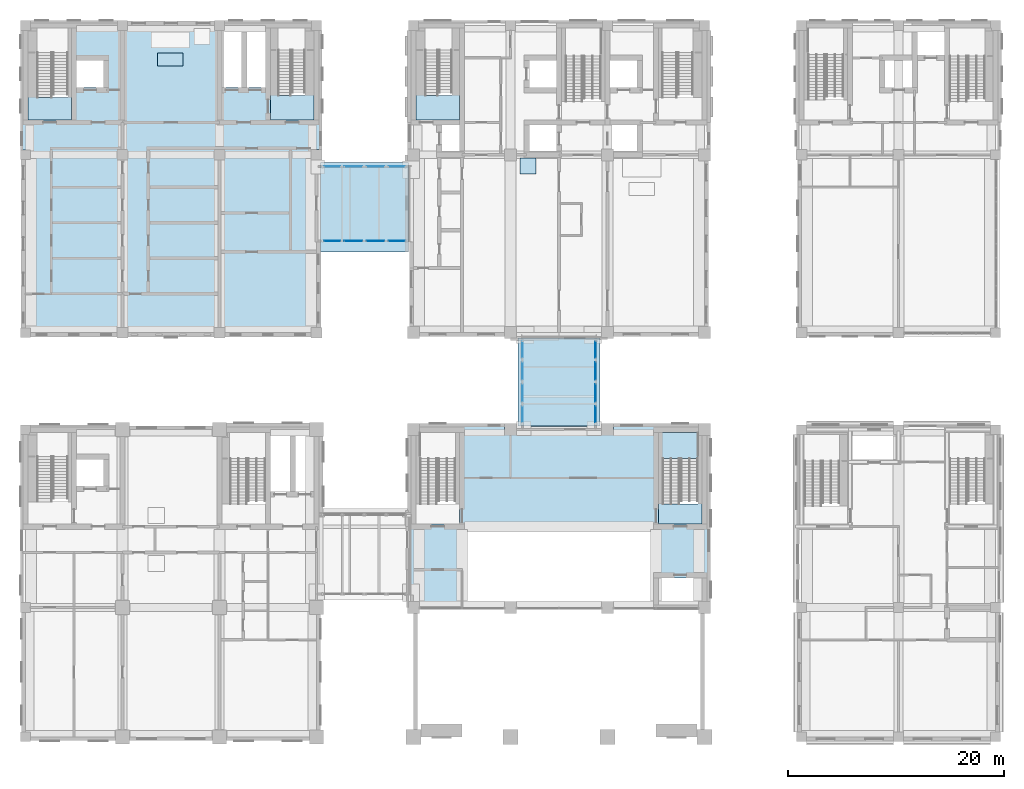
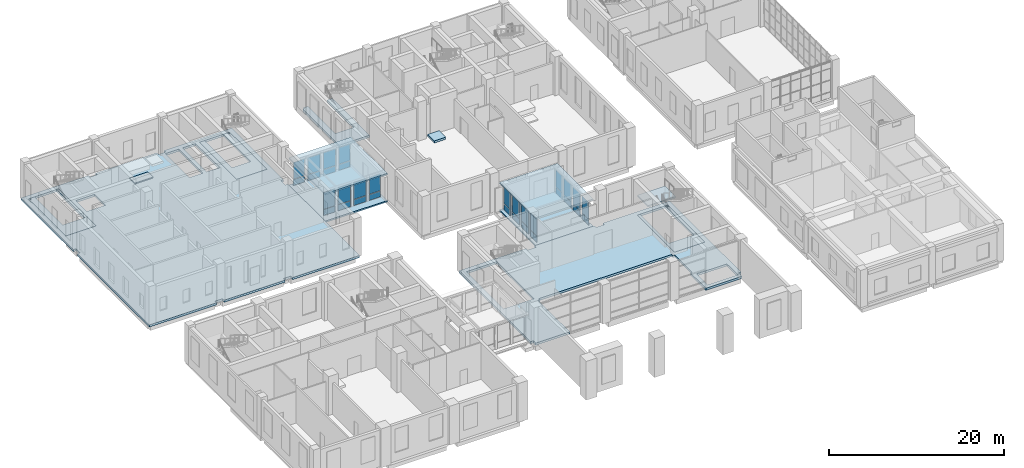
# One storey, part 23 of 52: 32 plates, 13 slabs, 20 elements without a shape of their own.
"""IFC4 building model written with IfcOpenShell, lengths in metres."""

from ifc_helpers import new_model, si_unit, direction, frame, origin, origin_2d, place, context, subcontext, project, spatial, polyline, rectangle, outline, extrude, material, layer, layer_set, type_object, element, aggregate, save


model = new_model("IFC4")

# Units and contexts
model_context = context("Model", 3, precision=1e-05, world=origin(), true_north=direction((0.0, 1.0)))
body_context = subcontext(model_context, "Body", "Model", "MODEL_VIEW")
ifc_project = project(units=[si_unit("LENGTHUNIT", "METRE"), si_unit("AREAUNIT", "SQUARE_METRE"), si_unit("VOLUMEUNIT", "CUBIC_METRE"), si_unit("PLANEANGLEUNIT", "RADIAN"), si_unit("MASSUNIT", "GRAM", prefix="KILO")], contexts=[model_context])

# Site, building, storey
site_placement = place(None, origin())
site = spatial("IfcSite", under=ifc_project, at=site_placement, CompositionType="ELEMENT")
building_placement = place(site_placement, origin())
building = spatial("IfcBuilding", under=site, at=building_placement, Name="Aurelan Courthouse", CompositionType="ELEMENT")
storey_placement = place(building_placement, frame((0.0, 0.0, 6.60009765625)))
storey = spatial("IfcBuildingStorey", under=building, at=storey_placement, Name="L01", CompositionType="ELEMENT", Elevation=6.60009765625)

# Slabs
ifc_material_1 = material(Name="Concrete C30", Category="concrete")
ifc_layer_1 = layer(ifc_material_1, 0.14990234375)
ifc_layer_set_1 = layer_set([ifc_layer_1], Name="Concrete C30")
slab_type_1 = type_object("IfcSlabType", Name="Clerk's dais 150", PredefinedType="FLOOR", material=ifc_layer_set_1)
slab_1_placement = place(storey_placement, origin())
element("IfcSlab", 1, at=slab_1_placement, inside=storey, type_object=slab_type_1, Name="Clerk's dais Video-Link Hearing Room 6.01.01", PredefinedType="FLOOR", context=body_context, shape_type="SweptSolid", body=[
    extrude(outline(polyline([(12.22509765625, 62.22509765625), (14.625, 62.22509765625), (14.625, 63.425048828125), (12.22509765625, 63.425048828125), (12.22509765625, 62.22509765625)])), origin(), (0.0, 0.0, 1.0), 0.14990234375),
])
ifc_material_2 = material(Name="Concrete C40", Category="concrete")
ifc_layer_2 = layer(ifc_material_2, 0.199951171875)
ifc_layer_set_2 = layer_set([ifc_layer_2], Name="Concrete C40")
slab_type_2 = type_object("IfcSlabType", Name="PT bridge floor slab 200", PredefinedType="FLOOR", material=ifc_layer_set_2)
slab_2_placement = place(storey_placement, frame((0.0, 0.0, -0.2001953125)))
element("IfcSlab", 2, at=slab_2_placement, inside=storey, type_object=slab_type_2, Name="Passage floor slab BR3", PredefinedType="FLOOR", context=body_context, shape_type="SweptSolid", body=[
    extrude(outline(polyline([(45.699951171875, 28.85009765625), (53.300048828125, 28.85009765625), (53.300048828125, 37.02490234375), (45.699951171875, 37.02490234375), (45.699951171875, 28.85009765625)])), origin(), (0.0, 0.0, 1.0), 0.2001953125),
])
slab_3_placement = place(storey_placement, frame((0.0, 0.0, -0.2001953125)))
element("IfcSlab", 3, at=slab_3_placement, inside=storey, type_object=slab_type_2, Name="Passage floor slab BR4", PredefinedType="FLOOR", context=body_context, shape_type="SweptSolid", body=[
    extrude(outline(polyline([(27.35009765625, 45.0), (35.52490234375, 45.0), (35.52490234375, 53.300048828125), (27.35009765625, 53.300048828125), (27.35009765625, 45.0)])), origin(), (0.0, 0.0, 1.0), 0.2001953125),
])
ifc_layer_3 = layer(ifc_material_2, 0.300048828125)
ifc_layer_set_3 = layer_set([ifc_layer_3], Name="Concrete C40")
slab_type_3 = type_object("IfcSlabType", Name="PT floor slab 300", PredefinedType="FLOOR", material=ifc_layer_set_3)
slab_4_placement = place(storey_placement, frame((0.0, 0.0, -0.300048828125)))
element("IfcSlab", 4, at=slab_4_placement, inside=storey, type_object=slab_type_3, Name="Floor slab SL-L01-01", PredefinedType="FLOOR", context=body_context, shape_type="SweptSolid", body=[
    extrude(outline(polyline([(58.5, 19.25), (58.5, 15.25), (58.25, 15.25), (58.25, 12.0), (58.25, 11.75), (63.0, 11.75), (63.0, 12.550048828125), (63.35009765625, 12.550048828125), (63.35009765625, 27.949951171875), (63.35009765625, 28.85009765625), (62.449951171875, 28.85009765625), (54.550048828125, 28.85009765625), (54.550048828125, 28.5), (53.449951171875, 28.5), (53.449951171875, 28.85009765625), (45.550048828125, 28.85009765625), (45.550048828125, 28.5), (44.449951171875, 28.5), (44.449951171875, 28.85009765625), (36.550048828125, 28.85009765625), (35.64990234375, 28.85009765625), (35.64990234375, 27.949951171875), (35.64990234375, 12.550048828125), (36.0, 12.550048828125), (36.0, 12.0), (40.5, 12.0), (40.5, 19.25), (40.75, 19.25), (40.75, 19.5), (58.25, 19.5), (58.25, 19.25), (58.5, 19.25)]), holes=[polyline([(58.75, 19.75), (58.75, 28.25), (62.75, 28.25), (62.75, 19.75), (58.75, 19.75)]), polyline([(62.75, 14.75), (62.75, 12.25), (58.75, 12.25), (58.75, 14.75), (62.75, 14.75)]), polyline([(36.25, 28.25), (40.25, 28.25), (40.25, 19.75), (36.25, 19.75), (36.25, 28.25)])]), origin(), (0.0, 0.0, 1.0), 0.300048828125),
])
slab_5_placement = place(storey_placement, frame((0.0, 0.0, -0.300048828125)))
element("IfcSlab", 5, at=slab_5_placement, inside=storey, type_object=slab_type_3, Name="Floor slab SL-L01-06", PredefinedType="FLOOR", context=body_context, shape_type="SweptSolid", body=[
    extrude(outline(polyline([(0.0, 54.449951171875), (0.0, 53.550048828125), (-0.35009765625, 53.550048828125), (-0.35009765625, 37.949951171875), (-0.35009765625, 37.14990234375), (0.449951171875, 37.14990234375), (8.5, 37.14990234375), (8.5, 37.5), (9.5, 37.5), (9.5, 37.14990234375), (17.5, 37.14990234375), (17.5, 37.5), (18.5, 37.5), (18.5, 37.14990234375), (26.5, 37.14990234375), (27.35009765625, 37.14990234375), (27.35009765625, 38.0), (27.35009765625, 53.5), (27.0, 53.5), (27.0, 54.5), (27.35009765625, 54.5), (27.35009765625, 65.550048828125), (27.35009765625, 66.35009765625), (26.550048828125, 66.35009765625), (18.449951171875, 66.35009765625), (18.449951171875, 66.0), (17.550048828125, 66.0), (17.550048828125, 66.35009765625), (9.449951171875, 66.35009765625), (9.449951171875, 66.0), (8.550048828125, 66.0), (8.550048828125, 66.35009765625), (0.449951171875, 66.35009765625), (-0.35009765625, 66.35009765625), (-0.35009765625, 65.550048828125), (-0.35009765625, 54.449951171875), (0.0, 54.449951171875)]), holes=[polyline([(26.75, 65.75), (26.75, 57.25), (22.75, 57.25), (22.75, 65.75), (26.75, 65.75)]), polyline([(20.550048828125, 65.75), (22.25, 65.75), (22.25, 60.25), (20.550048828125, 60.25), (20.550048828125, 65.75)]), polyline([(18.25, 60.25), (18.25, 65.75), (20.050048828125, 65.75), (20.050048828125, 60.25), (18.25, 60.25)]), polyline([(7.25, 62.75), (7.25, 60.25), (4.75, 60.25), (4.75, 62.75), (7.25, 62.75)]), polyline([(4.25, 57.25), (0.25, 57.25), (0.25, 65.75), (4.25, 65.75), (4.25, 57.25)])]), origin(), (0.0, 0.0, 1.0), 0.300048828125),
])

# Curtain wall, plate
ifc_material_3 = material(Name="Bronze-finished aluminium and glass", Category="aluminium")
ifc_layer_4 = layer(ifc_material_3, 0.1201171875)
ifc_layer_set_4 = layer_set([ifc_layer_4], Name="Bronze-finished aluminium and glass")
curtain_wall_type_1 = type_object("IfcCurtainWallType", Name="Passage glazing 1594 x 3300", PredefinedType="NOTDEFINED", material=ifc_layer_set_4)
curtain_wall_1_placement = place(storey_placement, origin())
curtain_wall_1 = element("IfcCurtainWall", 6, at=curtain_wall_1_placement, inside=storey, type_object=curtain_wall_type_1, Name="Curtain wall CW-L01-BR301", PredefinedType="NOTDEFINED")
ifc_material_4 = material(Name="Laminated low-emissivity glass", Category="glass")
ifc_layer_5 = layer(ifc_material_4, 0.028076171875)
ifc_layer_set_5 = layer_set([ifc_layer_5], Name="Laminated low-emissivity glass")
plate_type_1 = type_object("IfcPlateType", Name="Passage glazing glass panel 28", PredefinedType="CURTAIN_PANEL", material=ifc_layer_set_5)
plate_1_placement = place(storey_placement, frame((46.10009765625, 29.947021484375, 0.927490234375), z_axis=(0.0, 0.0, 1.0), x_axis=(0.0, 1.0, 0.0)))
plate_1 = element("IfcPlate", 7, at=plate_1_placement, type_object=plate_type_1, Name="CW-L01-BR301 panel 1.2", PredefinedType="CURTAIN_PANEL", context=body_context, shape_type="SweptSolid", body=[
    extrude(rectangle(XDim=1.48388671875, YDim=0.028076171875, at=origin_2d()), origin(), (0.0, 0.0, 1.0), 2.3173828125),
])

ifc_layer_6 = layer(ifc_material_3, 0.1201171875)
ifc_layer_set_6 = layer_set([ifc_layer_6], Name="Bronze-finished aluminium and glass")
curtain_wall_type_2 = type_object("IfcCurtainWallType", Name="Passage glazing 1744 x 3300", PredefinedType="NOTDEFINED", material=ifc_layer_set_6)
curtain_wall_2_placement = place(storey_placement, origin())
curtain_wall_2 = element("IfcCurtainWall", 8, at=curtain_wall_2_placement, inside=storey, type_object=curtain_wall_type_2, Name="Curtain wall CW-L01-BR302", PredefinedType="NOTDEFINED")
plate_2_placement = place(storey_placement, frame((46.10009765625, 31.91552734375, 0.927490234375), z_axis=(0.0, 0.0, 1.0), x_axis=(0.0, 1.0, 0.0)))
plate_2 = element("IfcPlate", 9, at=plate_2_placement, type_object=plate_type_1, Name="CW-L01-BR302 panel 1.2", PredefinedType="CURTAIN_PANEL", context=body_context, shape_type="SweptSolid", body=[
    extrude(rectangle(XDim=1.6337890625, YDim=0.028076171875, at=origin_2d()), origin(), (0.0, 0.0, 1.0), 2.3173828125),
])

curtain_wall_3_placement = place(storey_placement, origin())
curtain_wall_3 = element("IfcCurtainWall", 10, at=curtain_wall_3_placement, inside=storey, type_object=curtain_wall_type_2, Name="Curtain wall CW-L01-BR303", PredefinedType="NOTDEFINED")
plate_3_placement = place(storey_placement, frame((46.10009765625, 33.95947265625, 0.927490234375), z_axis=(0.0, 0.0, 1.0), x_axis=(0.0, 1.0, 0.0)))
plate_3 = element("IfcPlate", 11, at=plate_3_placement, type_object=plate_type_1, Name="CW-L01-BR303 panel 1.2", PredefinedType="CURTAIN_PANEL", context=body_context, shape_type="SweptSolid", body=[
    extrude(rectangle(XDim=1.6337890625, YDim=0.028076171875, at=origin_2d()), origin(), (0.0, 0.0, 1.0), 2.3173828125),
])

curtain_wall_4_placement = place(storey_placement, origin())
curtain_wall_4 = element("IfcCurtainWall", 12, at=curtain_wall_4_placement, inside=storey, type_object=curtain_wall_type_1, Name="Curtain wall CW-L01-BR304", PredefinedType="NOTDEFINED")
plate_4_placement = place(storey_placement, frame((46.10009765625, 35.92822265625, 0.927490234375), z_axis=(0.0, 0.0, 1.0), x_axis=(0.0, 1.0, 0.0)))
plate_4 = element("IfcPlate", 13, at=plate_4_placement, type_object=plate_type_1, Name="CW-L01-BR304 panel 1.2", PredefinedType="CURTAIN_PANEL", context=body_context, shape_type="SweptSolid", body=[
    extrude(rectangle(XDim=1.483642578125, YDim=0.028076171875, at=origin_2d()), origin(), (0.0, 0.0, 1.0), 2.3173828125),
])

curtain_wall_5_placement = place(storey_placement, origin())
curtain_wall_5 = element("IfcCurtainWall", 14, at=curtain_wall_5_placement, inside=storey, type_object=curtain_wall_type_1, Name="Curtain wall CW-L01-BR305", PredefinedType="NOTDEFINED")
plate_5_placement = place(storey_placement, frame((52.89990234375, 29.947021484375, 0.927490234375), z_axis=(0.0, 0.0, 1.0), x_axis=(0.0, 1.0, 0.0)))
plate_5 = element("IfcPlate", 15, at=plate_5_placement, type_object=plate_type_1, Name="CW-L01-BR305 panel 1.2", PredefinedType="CURTAIN_PANEL", context=body_context, shape_type="SweptSolid", body=[
    extrude(rectangle(XDim=1.48388671875, YDim=0.028076171875, at=origin_2d()), origin(), (0.0, 0.0, 1.0), 2.3173828125),
])

curtain_wall_6_placement = place(storey_placement, origin())
curtain_wall_6 = element("IfcCurtainWall", 16, at=curtain_wall_6_placement, inside=storey, type_object=curtain_wall_type_2, Name="Curtain wall CW-L01-BR306", PredefinedType="NOTDEFINED")
plate_6_placement = place(storey_placement, frame((52.89990234375, 31.91552734375, 0.927490234375), z_axis=(0.0, 0.0, 1.0), x_axis=(0.0, 1.0, 0.0)))
plate_6 = element("IfcPlate", 17, at=plate_6_placement, type_object=plate_type_1, Name="CW-L01-BR306 panel 1.2", PredefinedType="CURTAIN_PANEL", context=body_context, shape_type="SweptSolid", body=[
    extrude(rectangle(XDim=1.6337890625, YDim=0.028076171875, at=origin_2d()), origin(), (0.0, 0.0, 1.0), 2.3173828125),
])

curtain_wall_7_placement = place(storey_placement, origin())
curtain_wall_7 = element("IfcCurtainWall", 18, at=curtain_wall_7_placement, inside=storey, type_object=curtain_wall_type_2, Name="Curtain wall CW-L01-BR307", PredefinedType="NOTDEFINED")
plate_7_placement = place(storey_placement, frame((52.89990234375, 33.95947265625, 0.927490234375), z_axis=(0.0, 0.0, 1.0), x_axis=(0.0, 1.0, 0.0)))
plate_7 = element("IfcPlate", 19, at=plate_7_placement, type_object=plate_type_1, Name="CW-L01-BR307 panel 1.2", PredefinedType="CURTAIN_PANEL", context=body_context, shape_type="SweptSolid", body=[
    extrude(rectangle(XDim=1.6337890625, YDim=0.028076171875, at=origin_2d()), origin(), (0.0, 0.0, 1.0), 2.3173828125),
])

curtain_wall_8_placement = place(storey_placement, origin())
curtain_wall_8 = element("IfcCurtainWall", 20, at=curtain_wall_8_placement, inside=storey, type_object=curtain_wall_type_1, Name="Curtain wall CW-L01-BR308", PredefinedType="NOTDEFINED")
plate_8_placement = place(storey_placement, frame((52.89990234375, 35.92822265625, 0.927490234375), z_axis=(0.0, 0.0, 1.0), x_axis=(0.0, 1.0, 0.0)))
plate_8 = element("IfcPlate", 21, at=plate_8_placement, type_object=plate_type_1, Name="CW-L01-BR308 panel 1.2", PredefinedType="CURTAIN_PANEL", context=body_context, shape_type="SweptSolid", body=[
    extrude(rectangle(XDim=1.483642578125, YDim=0.028076171875, at=origin_2d()), origin(), (0.0, 0.0, 1.0), 2.3173828125),
])

curtain_wall_9_placement = place(storey_placement, origin())
curtain_wall_9 = element("IfcCurtainWall", 22, at=curtain_wall_9_placement, inside=storey, type_object=curtain_wall_type_1, Name="Curtain wall CW-L01-BR401", PredefinedType="NOTDEFINED")
plate_9_placement = place(storey_placement, frame((28.447021484375, 46.0, 0.927490234375), z_axis=(0.0, 0.0, 1.0), x_axis=(1.0, 0.0, 0.0)))
plate_9 = element("IfcPlate", 23, at=plate_9_placement, type_object=plate_type_1, Name="CW-L01-BR401 panel 1.2", PredefinedType="CURTAIN_PANEL", context=body_context, shape_type="SweptSolid", body=[
    extrude(rectangle(XDim=1.48388671875, YDim=0.028076171875, at=origin_2d()), origin(), (0.0, 0.0, 1.0), 2.3173828125),
])

curtain_wall_10_placement = place(storey_placement, origin())
curtain_wall_10 = element("IfcCurtainWall", 24, at=curtain_wall_10_placement, inside=storey, type_object=curtain_wall_type_2, Name="Curtain wall CW-L01-BR402", PredefinedType="NOTDEFINED")
plate_10_placement = place(storey_placement, frame((30.41552734375, 46.0, 0.927490234375), z_axis=(0.0, 0.0, 1.0), x_axis=(1.0, 0.0, 0.0)))
plate_10 = element("IfcPlate", 25, at=plate_10_placement, type_object=plate_type_1, Name="CW-L01-BR402 panel 1.2", PredefinedType="CURTAIN_PANEL", context=body_context, shape_type="SweptSolid", body=[
    extrude(rectangle(XDim=1.6337890625, YDim=0.028076171875, at=origin_2d()), origin(), (0.0, 0.0, 1.0), 2.3173828125),
])

curtain_wall_11_placement = place(storey_placement, origin())
curtain_wall_11 = element("IfcCurtainWall", 26, at=curtain_wall_11_placement, inside=storey, type_object=curtain_wall_type_2, Name="Curtain wall CW-L01-BR403", PredefinedType="NOTDEFINED")
plate_11_placement = place(storey_placement, frame((32.45947265625, 46.0, 0.927490234375), z_axis=(0.0, 0.0, 1.0), x_axis=(1.0, 0.0, 0.0)))
plate_11 = element("IfcPlate", 27, at=plate_11_placement, type_object=plate_type_1, Name="CW-L01-BR403 panel 1.2", PredefinedType="CURTAIN_PANEL", context=body_context, shape_type="SweptSolid", body=[
    extrude(rectangle(XDim=1.6337890625, YDim=0.028076171875, at=origin_2d()), origin(), (0.0, 0.0, 1.0), 2.3173828125),
])

curtain_wall_12_placement = place(storey_placement, origin())
curtain_wall_12 = element("IfcCurtainWall", 28, at=curtain_wall_12_placement, inside=storey, type_object=curtain_wall_type_1, Name="Curtain wall CW-L01-BR404", PredefinedType="NOTDEFINED")
plate_12_placement = place(storey_placement, frame((34.42822265625, 46.0, 0.927490234375), z_axis=(0.0, 0.0, 1.0), x_axis=(1.0, 0.0, 0.0)))
plate_12 = element("IfcPlate", 29, at=plate_12_placement, type_object=plate_type_1, Name="CW-L01-BR404 panel 1.2", PredefinedType="CURTAIN_PANEL", context=body_context, shape_type="SweptSolid", body=[
    extrude(rectangle(XDim=1.483642578125, YDim=0.028076171875, at=origin_2d()), origin(), (0.0, 0.0, 1.0), 2.3173828125),
])

curtain_wall_13_placement = place(storey_placement, origin())
curtain_wall_13 = element("IfcCurtainWall", 30, at=curtain_wall_13_placement, inside=storey, type_object=curtain_wall_type_1, Name="Curtain wall CW-L01-BR405", PredefinedType="NOTDEFINED")
plate_13_placement = place(storey_placement, frame((28.447021484375, 52.89990234375, 0.927490234375), z_axis=(0.0, 0.0, 1.0), x_axis=(1.0, 0.0, 0.0)))
plate_13 = element("IfcPlate", 31, at=plate_13_placement, type_object=plate_type_1, Name="CW-L01-BR405 panel 1.2", PredefinedType="CURTAIN_PANEL", context=body_context, shape_type="SweptSolid", body=[
    extrude(rectangle(XDim=1.48388671875, YDim=0.028076171875, at=origin_2d()), origin(), (0.0, 0.0, 1.0), 2.3173828125),
])

curtain_wall_14_placement = place(storey_placement, origin())
curtain_wall_14 = element("IfcCurtainWall", 32, at=curtain_wall_14_placement, inside=storey, type_object=curtain_wall_type_2, Name="Curtain wall CW-L01-BR406", PredefinedType="NOTDEFINED")
plate_14_placement = place(storey_placement, frame((30.41552734375, 52.89990234375, 0.927490234375), z_axis=(0.0, 0.0, 1.0), x_axis=(1.0, 0.0, 0.0)))
plate_14 = element("IfcPlate", 33, at=plate_14_placement, type_object=plate_type_1, Name="CW-L01-BR406 panel 1.2", PredefinedType="CURTAIN_PANEL", context=body_context, shape_type="SweptSolid", body=[
    extrude(rectangle(XDim=1.6337890625, YDim=0.028076171875, at=origin_2d()), origin(), (0.0, 0.0, 1.0), 2.3173828125),
])

curtain_wall_15_placement = place(storey_placement, origin())
curtain_wall_15 = element("IfcCurtainWall", 34, at=curtain_wall_15_placement, inside=storey, type_object=curtain_wall_type_2, Name="Curtain wall CW-L01-BR407", PredefinedType="NOTDEFINED")
plate_15_placement = place(storey_placement, frame((32.45947265625, 52.89990234375, 0.927490234375), z_axis=(0.0, 0.0, 1.0), x_axis=(1.0, 0.0, 0.0)))
plate_15 = element("IfcPlate", 35, at=plate_15_placement, type_object=plate_type_1, Name="CW-L01-BR407 panel 1.2", PredefinedType="CURTAIN_PANEL", context=body_context, shape_type="SweptSolid", body=[
    extrude(rectangle(XDim=1.6337890625, YDim=0.028076171875, at=origin_2d()), origin(), (0.0, 0.0, 1.0), 2.3173828125),
])

curtain_wall_16_placement = place(storey_placement, origin())
curtain_wall_16 = element("IfcCurtainWall", 36, at=curtain_wall_16_placement, inside=storey, type_object=curtain_wall_type_1, Name="Curtain wall CW-L01-BR408", PredefinedType="NOTDEFINED")
plate_16_placement = place(storey_placement, frame((34.42822265625, 52.89990234375, 0.927490234375), z_axis=(0.0, 0.0, 1.0), x_axis=(1.0, 0.0, 0.0)))
plate_16 = element("IfcPlate", 37, at=plate_16_placement, type_object=plate_type_1, Name="CW-L01-BR408 panel 1.2", PredefinedType="CURTAIN_PANEL", context=body_context, shape_type="SweptSolid", body=[
    extrude(rectangle(XDim=1.483642578125, YDim=0.028076171875, at=origin_2d()), origin(), (0.0, 0.0, 1.0), 2.3173828125),
])

# Slabs
ifc_material_5 = material(Name="Composite steel deck S355 with concrete topping C30/37", Category="concrete")
ifc_layer_7 = layer(ifc_material_5, 0.199951171875)
ifc_layer_set_7 = layer_set([ifc_layer_7], Name="Composite steel deck S355 with concrete topping C30/37")
slab_type_4 = type_object("IfcSlabType", Name="Passage roof deck 200", PredefinedType="ROOF", material=ifc_layer_set_7)
slab_6_placement = place(storey_placement, frame((0.0, 0.0, 3.599853515625)))
element("IfcSlab", 38, at=slab_6_placement, inside=storey, type_object=slab_type_4, Name="Passage roof BR3", PredefinedType="ROOF", context=body_context, shape_type="SweptSolid", body=[
    extrude(outline(polyline([(45.699951171875, 28.85009765625), (53.300048828125, 28.85009765625), (53.300048828125, 37.02490234375), (45.699951171875, 37.02490234375), (45.699951171875, 28.85009765625)])), origin(), (0.0, 0.0, 1.0), 0.199951171875),
])
slab_7_placement = place(storey_placement, frame((0.0, 0.0, 3.599853515625)))
element("IfcSlab", 39, at=slab_7_placement, inside=storey, type_object=slab_type_4, Name="Passage roof BR4", PredefinedType="ROOF", context=body_context, shape_type="SweptSolid", body=[
    extrude(outline(polyline([(27.35009765625, 45.0), (35.52490234375, 45.0), (35.52490234375, 53.300048828125), (27.35009765625, 53.300048828125), (27.35009765625, 45.0)])), origin(), (0.0, 0.0, 1.0), 0.199951171875),
])

# Plate
ifc_material_6 = material(Name="Bronze-finished aluminium", Category="aluminium")
ifc_layer_8 = layer(ifc_material_6, 0.0400390625)
ifc_layer_set_8 = layer_set([ifc_layer_8], Name="Bronze-finished aluminium")
plate_type_2 = type_object("IfcPlateType", Name="Passage sill panel 40", PredefinedType="CURTAIN_PANEL", material=ifc_layer_set_8)
plate_17_placement = place(storey_placement, frame((46.10009765625, 29.947021484375, 0.054931640625), z_axis=(0.0, 0.0, 1.0), x_axis=(0.0, 1.0, 0.0)))
plate_17 = element("IfcPlate", 40, at=plate_17_placement, type_object=plate_type_2, Name="CW-L01-BR301 panel 1.1", PredefinedType="CURTAIN_PANEL", context=body_context, shape_type="SweptSolid", body=[
    extrude(rectangle(XDim=1.48388671875, YDim=0.0400390625, at=origin_2d()), origin(), (0.0, 0.0, 1.0), 0.8173828125),
])

aggregate(curtain_wall_1, [plate_17, plate_1])

plate_18_placement = place(storey_placement, frame((46.10009765625, 31.91552734375, 0.054931640625), z_axis=(0.0, 0.0, 1.0), x_axis=(0.0, 1.0, 0.0)))
plate_18 = element("IfcPlate", 41, at=plate_18_placement, type_object=plate_type_2, Name="CW-L01-BR302 panel 1.1", PredefinedType="CURTAIN_PANEL", context=body_context, shape_type="SweptSolid", body=[
    extrude(rectangle(XDim=1.6337890625, YDim=0.0400390625, at=origin_2d()), origin(), (0.0, 0.0, 1.0), 0.8173828125),
])

aggregate(curtain_wall_2, [plate_18, plate_2])

plate_19_placement = place(storey_placement, frame((46.10009765625, 33.95947265625, 0.054931640625), z_axis=(0.0, 0.0, 1.0), x_axis=(0.0, 1.0, 0.0)))
plate_19 = element("IfcPlate", 42, at=plate_19_placement, type_object=plate_type_2, Name="CW-L01-BR303 panel 1.1", PredefinedType="CURTAIN_PANEL", context=body_context, shape_type="SweptSolid", body=[
    extrude(rectangle(XDim=1.6337890625, YDim=0.0400390625, at=origin_2d()), origin(), (0.0, 0.0, 1.0), 0.8173828125),
])

aggregate(curtain_wall_3, [plate_19, plate_3])

plate_20_placement = place(storey_placement, frame((46.10009765625, 35.92822265625, 0.054931640625), z_axis=(0.0, 0.0, 1.0), x_axis=(0.0, 1.0, 0.0)))
plate_20 = element("IfcPlate", 43, at=plate_20_placement, type_object=plate_type_2, Name="CW-L01-BR304 panel 1.1", PredefinedType="CURTAIN_PANEL", context=body_context, shape_type="SweptSolid", body=[
    extrude(rectangle(XDim=1.483642578125, YDim=0.0400390625, at=origin_2d()), origin(), (0.0, 0.0, 1.0), 0.8173828125),
])

aggregate(curtain_wall_4, [plate_20, plate_4])

plate_21_placement = place(storey_placement, frame((52.89990234375, 29.947021484375, 0.054931640625), z_axis=(0.0, 0.0, 1.0), x_axis=(0.0, 1.0, 0.0)))
plate_21 = element("IfcPlate", 44, at=plate_21_placement, type_object=plate_type_2, Name="CW-L01-BR305 panel 1.1", PredefinedType="CURTAIN_PANEL", context=body_context, shape_type="SweptSolid", body=[
    extrude(rectangle(XDim=1.48388671875, YDim=0.0400390625, at=origin_2d()), origin(), (0.0, 0.0, 1.0), 0.8173828125),
])

aggregate(curtain_wall_5, [plate_21, plate_5])

plate_22_placement = place(storey_placement, frame((52.89990234375, 31.91552734375, 0.054931640625), z_axis=(0.0, 0.0, 1.0), x_axis=(0.0, 1.0, 0.0)))
plate_22 = element("IfcPlate", 45, at=plate_22_placement, type_object=plate_type_2, Name="CW-L01-BR306 panel 1.1", PredefinedType="CURTAIN_PANEL", context=body_context, shape_type="SweptSolid", body=[
    extrude(rectangle(XDim=1.6337890625, YDim=0.0400390625, at=origin_2d()), origin(), (0.0, 0.0, 1.0), 0.8173828125),
])

aggregate(curtain_wall_6, [plate_22, plate_6])

plate_23_placement = place(storey_placement, frame((52.89990234375, 33.95947265625, 0.054931640625), z_axis=(0.0, 0.0, 1.0), x_axis=(0.0, 1.0, 0.0)))
plate_23 = element("IfcPlate", 46, at=plate_23_placement, type_object=plate_type_2, Name="CW-L01-BR307 panel 1.1", PredefinedType="CURTAIN_PANEL", context=body_context, shape_type="SweptSolid", body=[
    extrude(rectangle(XDim=1.6337890625, YDim=0.0400390625, at=origin_2d()), origin(), (0.0, 0.0, 1.0), 0.8173828125),
])

aggregate(curtain_wall_7, [plate_23, plate_7])

plate_24_placement = place(storey_placement, frame((52.89990234375, 35.92822265625, 0.054931640625), z_axis=(0.0, 0.0, 1.0), x_axis=(0.0, 1.0, 0.0)))
plate_24 = element("IfcPlate", 47, at=plate_24_placement, type_object=plate_type_2, Name="CW-L01-BR308 panel 1.1", PredefinedType="CURTAIN_PANEL", context=body_context, shape_type="SweptSolid", body=[
    extrude(rectangle(XDim=1.483642578125, YDim=0.0400390625, at=origin_2d()), origin(), (0.0, 0.0, 1.0), 0.8173828125),
])

aggregate(curtain_wall_8, [plate_24, plate_8])

plate_25_placement = place(storey_placement, frame((28.447021484375, 46.0, 0.054931640625), z_axis=(0.0, 0.0, 1.0), x_axis=(1.0, 0.0, 0.0)))
plate_25 = element("IfcPlate", 48, at=plate_25_placement, type_object=plate_type_2, Name="CW-L01-BR401 panel 1.1", PredefinedType="CURTAIN_PANEL", context=body_context, shape_type="SweptSolid", body=[
    extrude(rectangle(XDim=1.48388671875, YDim=0.0400390625, at=origin_2d()), origin(), (0.0, 0.0, 1.0), 0.8173828125),
])

aggregate(curtain_wall_9, [plate_25, plate_9])

plate_26_placement = place(storey_placement, frame((30.41552734375, 46.0, 0.054931640625), z_axis=(0.0, 0.0, 1.0), x_axis=(1.0, 0.0, 0.0)))
plate_26 = element("IfcPlate", 49, at=plate_26_placement, type_object=plate_type_2, Name="CW-L01-BR402 panel 1.1", PredefinedType="CURTAIN_PANEL", context=body_context, shape_type="SweptSolid", body=[
    extrude(rectangle(XDim=1.6337890625, YDim=0.0400390625, at=origin_2d()), origin(), (0.0, 0.0, 1.0), 0.8173828125),
])

aggregate(curtain_wall_10, [plate_26, plate_10])

plate_27_placement = place(storey_placement, frame((32.45947265625, 46.0, 0.054931640625), z_axis=(0.0, 0.0, 1.0), x_axis=(1.0, 0.0, 0.0)))
plate_27 = element("IfcPlate", 50, at=plate_27_placement, type_object=plate_type_2, Name="CW-L01-BR403 panel 1.1", PredefinedType="CURTAIN_PANEL", context=body_context, shape_type="SweptSolid", body=[
    extrude(rectangle(XDim=1.6337890625, YDim=0.0400390625, at=origin_2d()), origin(), (0.0, 0.0, 1.0), 0.8173828125),
])

aggregate(curtain_wall_11, [plate_27, plate_11])

plate_28_placement = place(storey_placement, frame((34.42822265625, 46.0, 0.054931640625), z_axis=(0.0, 0.0, 1.0), x_axis=(1.0, 0.0, 0.0)))
plate_28 = element("IfcPlate", 51, at=plate_28_placement, type_object=plate_type_2, Name="CW-L01-BR404 panel 1.1", PredefinedType="CURTAIN_PANEL", context=body_context, shape_type="SweptSolid", body=[
    extrude(rectangle(XDim=1.483642578125, YDim=0.0400390625, at=origin_2d()), origin(), (0.0, 0.0, 1.0), 0.8173828125),
])

aggregate(curtain_wall_12, [plate_28, plate_12])

plate_29_placement = place(storey_placement, frame((28.447021484375, 52.89990234375, 0.054931640625), z_axis=(0.0, 0.0, 1.0), x_axis=(1.0, 0.0, 0.0)))
plate_29 = element("IfcPlate", 52, at=plate_29_placement, type_object=plate_type_2, Name="CW-L01-BR405 panel 1.1", PredefinedType="CURTAIN_PANEL", context=body_context, shape_type="SweptSolid", body=[
    extrude(rectangle(XDim=1.48388671875, YDim=0.0400390625, at=origin_2d()), origin(), (0.0, 0.0, 1.0), 0.8173828125),
])

aggregate(curtain_wall_13, [plate_29, plate_13])

plate_30_placement = place(storey_placement, frame((30.41552734375, 52.89990234375, 0.054931640625), z_axis=(0.0, 0.0, 1.0), x_axis=(1.0, 0.0, 0.0)))
plate_30 = element("IfcPlate", 53, at=plate_30_placement, type_object=plate_type_2, Name="CW-L01-BR406 panel 1.1", PredefinedType="CURTAIN_PANEL", context=body_context, shape_type="SweptSolid", body=[
    extrude(rectangle(XDim=1.6337890625, YDim=0.0400390625, at=origin_2d()), origin(), (0.0, 0.0, 1.0), 0.8173828125),
])

aggregate(curtain_wall_14, [plate_30, plate_14])

plate_31_placement = place(storey_placement, frame((32.45947265625, 52.89990234375, 0.054931640625), z_axis=(0.0, 0.0, 1.0), x_axis=(1.0, 0.0, 0.0)))
plate_31 = element("IfcPlate", 54, at=plate_31_placement, type_object=plate_type_2, Name="CW-L01-BR407 panel 1.1", PredefinedType="CURTAIN_PANEL", context=body_context, shape_type="SweptSolid", body=[
    extrude(rectangle(XDim=1.6337890625, YDim=0.0400390625, at=origin_2d()), origin(), (0.0, 0.0, 1.0), 0.8173828125),
])

aggregate(curtain_wall_15, [plate_31, plate_15])

plate_32_placement = place(storey_placement, frame((34.42822265625, 52.89990234375, 0.054931640625), z_axis=(0.0, 0.0, 1.0), x_axis=(1.0, 0.0, 0.0)))
plate_32 = element("IfcPlate", 55, at=plate_32_placement, type_object=plate_type_2, Name="CW-L01-BR408 panel 1.1", PredefinedType="CURTAIN_PANEL", context=body_context, shape_type="SweptSolid", body=[
    extrude(rectangle(XDim=1.483642578125, YDim=0.0400390625, at=origin_2d()), origin(), (0.0, 0.0, 1.0), 0.8173828125),
])

aggregate(curtain_wall_16, [plate_32, plate_16])

# Stair, slab
stair_type_1 = type_object("IfcStairType", Name="Half-turn stair 1200 wide 31 risers", PredefinedType="HALF_TURN_STAIR", material=ifc_material_1)
stair_1_placement = place(storey_placement, origin())
stair_1 = element("IfcStair", 56, at=stair_1_placement, inside=storey, type_object=stair_type_1, Name="Stair CS-2-L01", PredefinedType="HALF_TURN_STAIR")
ifc_layer_9 = layer(ifc_material_1, 0.300048828125)
ifc_layer_set_9 = layer_set([ifc_layer_9], Name="Concrete C30")
slab_type_5 = type_object("IfcSlabType", Name="Stair floor landing 300 thick", PredefinedType="LANDING", material=ifc_layer_set_9)
slab_8_placement = place(storey_placement, frame((0.0, 0.0, -0.300048828125)))
slab_8 = element("IfcSlab", 57, at=slab_8_placement, type_object=slab_type_5, Name="Stair CS-2-L01 floor landing", PredefinedType="LANDING", context=body_context, shape_type="SweptSolid", body=[
    extrude(outline(polyline([(37.06005859375, 59.510986328125), (38.360107421875, 59.510986328125), (39.56005859375, 59.510986328125), (39.56005859375, 65.75), (40.25, 65.75), (40.25, 57.25), (36.25, 57.25), (36.25, 65.550048828125), (36.449951171875, 65.550048828125), (36.449951171875, 65.75), (37.06005859375, 65.75), (37.06005859375, 59.510986328125)])), origin(), (0.0, 0.0, 1.0), 0.300048828125),
])
aggregate(stair_1, [slab_8])

stair_2_placement = place(storey_placement, origin())
stair_2 = element("IfcStair", 58, at=stair_2_placement, inside=storey, type_object=stair_type_1, Name="Stair CS-6-L01", PredefinedType="HALF_TURN_STAIR")
slab_9_placement = place(storey_placement, frame((0.0, 0.0, -0.300048828125)))
slab_9 = element("IfcSlab", 59, at=slab_9_placement, type_object=slab_type_5, Name="Stair CS-6-L01 floor landing", PredefinedType="LANDING", context=body_context, shape_type="SweptSolid", body=[
    extrude(outline(polyline([(23.43994140625, 59.510986328125), (24.739990234375, 59.510986328125), (25.93994140625, 59.510986328125), (25.93994140625, 65.75), (26.550048828125, 65.75), (26.550048828125, 65.550048828125), (26.75, 65.550048828125), (26.75, 57.25), (22.75, 57.25), (22.75, 65.75), (23.43994140625, 65.75), (23.43994140625, 59.510986328125)])), origin(), (0.0, 0.0, 1.0), 0.300048828125),
])
aggregate(stair_2, [slab_9])

stair_type_2 = type_object("IfcStairType", Name="Half-turn stair 1600 wide 31 risers", PredefinedType="HALF_TURN_STAIR", material=ifc_material_1)
stair_3_placement = place(storey_placement, origin())
stair_3 = element("IfcStair", 60, at=stair_3_placement, inside=storey, type_object=stair_type_2, Name="Stair ST-1E-L01", PredefinedType="HALF_TURN_STAIR")
slab_10_placement = place(storey_placement, frame((0.0, 0.0, -0.300048828125)))
slab_10 = element("IfcSlab", 61, at=slab_10_placement, type_object=slab_type_5, Name="Stair ST-1E-L01 floor landing", PredefinedType="LANDING", context=body_context, shape_type="SweptSolid", body=[
    extrude(outline(polyline([(59.10009765625, 21.611083984375), (60.800048828125, 21.611083984375), (62.39990234375, 21.611083984375), (62.39990234375, 28.25), (62.449951171875, 28.25), (62.449951171875, 27.949951171875), (62.75, 27.949951171875), (62.75, 19.75), (58.75, 19.75), (58.75, 28.25), (59.10009765625, 28.25), (59.10009765625, 21.611083984375)])), origin(), (0.0, 0.0, 1.0), 0.300048828125),
])

stair_type_3 = type_object("IfcStairType", Name="Half-turn stair 1400 wide 31 risers", PredefinedType="HALF_TURN_STAIR", material=ifc_material_1)
stair_4_placement = place(storey_placement, origin())
stair_4 = element("IfcStair", 62, at=stair_4_placement, inside=storey, type_object=stair_type_3, Name="Stair ST-6-L01", PredefinedType="HALF_TURN_STAIR")
slab_11_placement = place(storey_placement, frame((0.0, 0.0, -0.300048828125)))
slab_11 = element("IfcSlab", 63, at=slab_11_placement, type_object=slab_type_5, Name="Stair ST-6-L01 floor landing", PredefinedType="LANDING", context=body_context, shape_type="SweptSolid", body=[
    extrude(outline(polyline([(1.06005859375, 59.31103515625), (2.56005859375, 59.31103515625), (3.9599609375, 59.31103515625), (3.9599609375, 65.75), (4.25, 65.75), (4.25, 57.25), (0.25, 57.25), (0.25, 65.550048828125), (0.449951171875, 65.550048828125), (0.449951171875, 65.75), (1.06005859375, 65.75), (1.06005859375, 59.31103515625)])), origin(), (0.0, 0.0, 1.0), 0.300048828125),
])
aggregate(stair_4, [slab_11])

# Slab
ifc_layer_10 = layer(ifc_material_1, 0.199951171875)
ifc_layer_set_10 = layer_set([ifc_layer_10], Name="Concrete C30")
slab_type_6 = type_object("IfcSlabType", Name="Stair half landing 200 thick", PredefinedType="LANDING", material=ifc_layer_set_10)
slab_12_placement = place(storey_placement, frame((0.0, 0.0, 2.5869140625)))
slab_12 = element("IfcSlab", 64, at=slab_12_placement, type_object=slab_type_6, Name="Stair ST-1E-L01 half landing", PredefinedType="LANDING", context=body_context, shape_type="SweptSolid", body=[
    extrude(outline(polyline([(58.75, 28.25), (62.39990234375, 28.25), (62.39990234375, 25.81005859375), (58.75, 25.81005859375), (58.75, 28.25)])), origin(), (0.0, 0.0, 1.0), 0.2001953125),
])

aggregate(stair_3, [slab_12, slab_10])

ifc_layer_11 = layer(ifc_material_1, 0.300048828125)
ifc_layer_set_11 = layer_set([ifc_layer_11], Name="Concrete C30")
slab_type_7 = type_object("IfcSlabType", Name="Witness dais 300", PredefinedType="FLOOR", material=ifc_layer_set_11)
slab_13_placement = place(storey_placement, origin())
element("IfcSlab", 65, at=slab_13_placement, inside=storey, type_object=slab_type_7, Name="Witness dais Assize Courtroom 2.01.01", PredefinedType="FLOOR", context=body_context, shape_type="SweptSolid", body=[
    extrude(outline(polyline([(45.875, 52.22509765625), (47.375, 52.22509765625), (47.375, 53.72509765625), (45.875, 53.72509765625), (45.875, 52.22509765625)])), origin(), (0.0, 0.0, 1.0), 0.2998046875),
])

save(model, "model.ifc")
